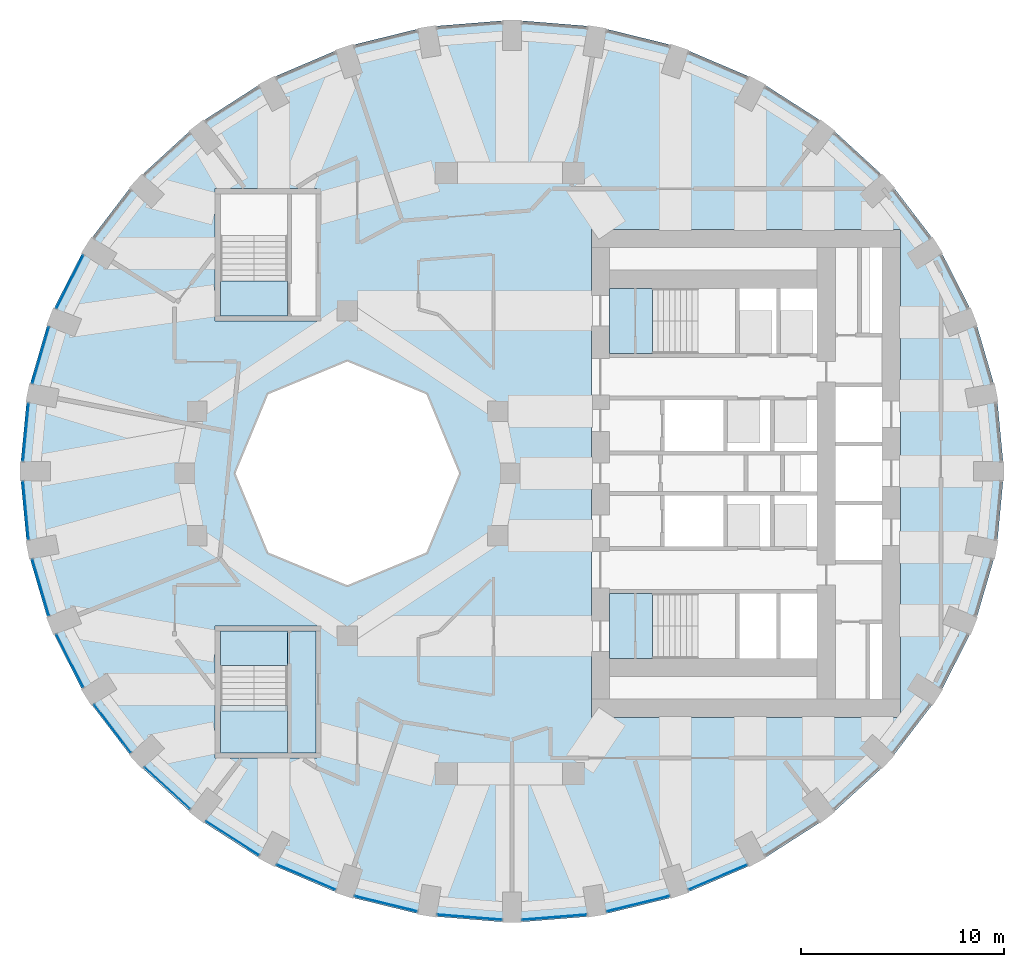
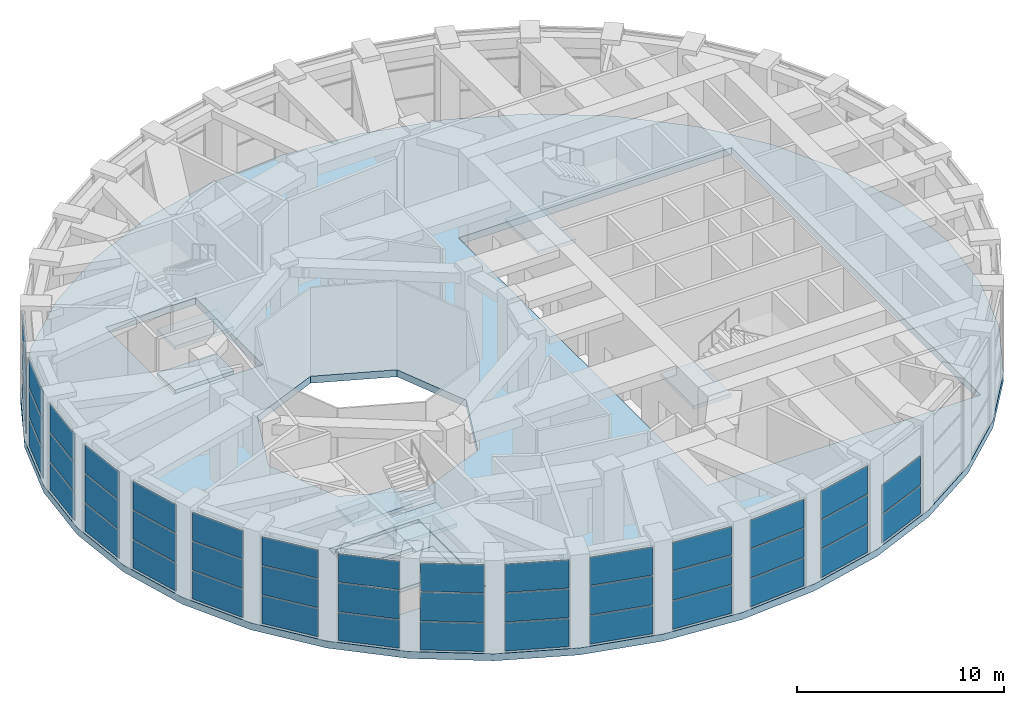
# One storey, part 9 of 17: 44 plates, 10 slabs, 19 elements without a shape of their own.
"""IFC4 building model written with IfcOpenShell, lengths in metres."""

from ifc_helpers import new_model, si_unit, direction, frame, origin, origin_2d, place, context, subcontext, project, spatial, polyline, rectangle, outline, extrude, material, layer, layer_set, type_object, element, aggregate, save


model = new_model("IFC4")

# Units and contexts
model_context = context("Model", 3, precision=1e-05, world=origin(), true_north=direction((0.0, 1.0)))
body_context = subcontext(model_context, "Body", "Model", "MODEL_VIEW")
ifc_project = project(units=[si_unit("LENGTHUNIT", "METRE"), si_unit("AREAUNIT", "SQUARE_METRE"), si_unit("VOLUMEUNIT", "CUBIC_METRE"), si_unit("PLANEANGLEUNIT", "RADIAN"), si_unit("MASSUNIT", "GRAM", prefix="KILO")], contexts=[model_context])

# Site, building, storey
site_placement = place(None, origin())
site = spatial("IfcSite", under=ifc_project, at=site_placement, CompositionType="ELEMENT")
building_placement = place(site_placement, origin())
building = spatial("IfcBuilding", under=site, at=building_placement, Name="Taillehof Tower", CompositionType="ELEMENT")
storey_placement = place(building_placement, frame((0.0, 0.0, 139.60009765625)))
storey = spatial("IfcBuildingStorey", under=building, at=storey_placement, Name="L39", CompositionType="ELEMENT", Elevation=139.60009765625)

# Slab
ifc_material_1 = material(Name="Concrete C40/50", Category="concrete")
ifc_layer_1 = layer(ifc_material_1, 0.409912109375)
ifc_layer_set_1 = layer_set([ifc_layer_1], Name="Floor slab 410")
slab_type_1 = type_object("IfcSlabType", Name="Floor slab 410", PredefinedType="FLOOR", material=ifc_layer_set_1)
slab_1_placement = place(storey_placement, frame((0.0, 0.0, -0.41015625)))
element("IfcSlab", 1, at=slab_1_placement, inside=storey, type_object=slab_type_1, Name="Floor slab L39", PredefinedType="FLOOR", context=body_context, shape_type="SweptSolid", body=[
    extrude(outline(polyline([(24.300048828125, 0.10009765625), (23.932373046875, 3.955078125), (22.840576171875, 7.69287109375), (21.057861328125, 11.199951171875), (18.63818359375, 14.369873046875), (15.655517578125, 17.106201171875), (12.199951171875, 19.32568359375), (8.376953125, 20.961181640625), (4.30224609375, 21.962646484375), (0.10009765625, 22.300048828125), (-4.102294921875, 21.962646484375), (-8.177001953125, 20.961181640625), (-12.0, 19.32568359375), (-15.45556640625, 17.106201171875), (-18.438232421875, 14.369873046875), (-20.85791015625, 11.199951171875), (-22.640625, 7.69287109375), (-23.732421875, 3.955078125), (-24.10009765625, 0.10009765625), (-23.732421875, -3.7548828125), (-22.640625, -7.492919921875), (-20.85791015625, -11.0), (-18.438232421875, -14.169921875), (-15.45556640625, -16.90625), (-12.0, -19.125732421875), (-8.177001953125, -20.76123046875), (-4.102294921875, -21.7626953125), (0.10009765625, -22.10009765625), (4.30224609375, -21.7626953125), (8.376953125, -20.76123046875), (12.199951171875, -19.125732421875), (15.655517578125, -16.90625), (18.63818359375, -14.169921875), (21.057861328125, -11.0), (22.840576171875, -7.492919921875), (23.932373046875, -3.7548828125), (24.300048828125, 0.10009765625)]), holes=[polyline([(-14.5, -7.5), (-9.5, -7.5), (-9.5, -14.0), (-14.5, -14.0), (-14.5, -7.5)]), polyline([(-8.0, -5.5), (-11.88916015625, -3.88916015625), (-13.5, 0.0), (-11.88916015625, 3.88916015625), (-8.0, 5.5), (-4.11083984375, 3.88916015625), (-2.5, 0.0), (-4.11083984375, -3.88916015625), (-8.0, -5.5)]), polyline([(19.199951171875, 12.0), (19.199951171875, -12.0), (4.0, -12.0), (4.0, 12.0), (19.199951171875, 12.0)]), polyline([(-14.5, 14.0), (-9.5, 14.0), (-9.5, 7.5), (-14.5, 7.5), (-14.5, 14.0)])]), origin(), (0.0, 0.0, 1.0), 0.41015625),
])

# Curtain wall, plates
ifc_material_2 = material(Name="Aluminium curtain wall with Clear low-emissivity double glazing", Category="aluminium")
curtain_wall_type = type_object("IfcCurtainWallType", Name="Sky lobby curtain wall", PredefinedType="USERDEFINED", material=ifc_material_2)
curtain_wall_1_placement = place(storey_placement, origin())
curtain_wall_1 = element("IfcCurtainWall", 2, at=curtain_wall_1_placement, inside=storey, type_object=curtain_wall_type, Name="Sky lobby L39 bay 16", ObjectType="WINDOW WALL", PredefinedType="USERDEFINED")
ifc_material_3 = material(Name="Clear low-emissivity double glazing", Category="glass")
ifc_layer_2 = layer(ifc_material_3, 0.028076171875)
ifc_layer_set_2 = layer_set([ifc_layer_2], Name="Sky lobby glass panel 28")
plate_type = type_object("IfcPlateType", Name="Sky lobby glass panel 28", PredefinedType="CURTAIN_PANEL", material=ifc_layer_set_2)
plate_1_placement = place(storey_placement, frame((-21.648681640625, 9.423583984375, 0.06005859375), z_axis=(0.0, 0.0, 1.0), x_axis=(-0.454121193276, -0.890939920431, 0.0)))
plate_1 = element("IfcPlate", 3, at=plate_1_placement, type_object=plate_type, Name="CT3C16 panel 1.1", PredefinedType="CURTAIN_PANEL", context=body_context, shape_type="SweptSolid", body=[
    extrude(rectangle(XDim=2.888916015625, YDim=0.028076171875, at=origin_2d()), origin(), (0.0, 0.0, 1.0), 1.64990234375),
])
plate_2_placement = place(storey_placement, frame((-21.648681640625, 9.423583984375, 1.77001953125), z_axis=(0.0, 0.0, 1.0), x_axis=(-0.454121193276, -0.890939920431, 0.0)))
plate_2 = element("IfcPlate", 4, at=plate_2_placement, type_object=plate_type, Name="CT3C16 panel 1.2", PredefinedType="CURTAIN_PANEL", context=body_context, shape_type="SweptSolid", body=[
    extrude(rectangle(XDim=2.888916015625, YDim=0.028076171875, at=origin_2d()), origin(), (0.0, 0.0, 1.0), 1.679931640625),
])
plate_3_placement = place(storey_placement, frame((-21.648681640625, 9.423583984375, 3.510009765625), z_axis=(0.0, 0.0, 1.0), x_axis=(-0.454121193276, -0.890939920431, 0.0)))
plate_3 = element("IfcPlate", 5, at=plate_3_placement, type_object=plate_type, Name="CT3C16 panel 1.3", PredefinedType="CURTAIN_PANEL", context=body_context, shape_type="SweptSolid", body=[
    extrude(rectangle(XDim=2.888916015625, YDim=0.028076171875, at=origin_2d()), origin(), (0.0, 0.0, 1.0), 1.64990234375),
])
aggregate(curtain_wall_1, [plate_1, plate_2, plate_3])

curtain_wall_2_placement = place(storey_placement, origin())
curtain_wall_2 = element("IfcCurtainWall", 6, at=curtain_wall_2_placement, inside=storey, type_object=curtain_wall_type, Name="Sky lobby L39 bay 17", ObjectType="WINDOW WALL", PredefinedType="USERDEFINED")
plate_4_placement = place(storey_placement, frame((-23.085693359375, 5.811767578125, 0.06005859375), z_axis=(0.0, 0.0, 1.0), x_axis=(-0.281079610563, -0.959684454665, 0.0)))
plate_4 = element("IfcPlate", 7, at=plate_4_placement, type_object=plate_type, Name="CT3C17 panel 1.1", PredefinedType="CURTAIN_PANEL", context=body_context, shape_type="SweptSolid", body=[
    extrude(rectangle(XDim=2.85107421875, YDim=0.028076171875, at=origin_2d()), origin(), (0.0, 0.0, 1.0), 1.64990234375),
])
plate_5_placement = place(storey_placement, frame((-23.085693359375, 5.811767578125, 1.77001953125), z_axis=(0.0, 0.0, 1.0), x_axis=(-0.281079610563, -0.959684454665, 0.0)))
plate_5 = element("IfcPlate", 8, at=plate_5_placement, type_object=plate_type, Name="CT3C17 panel 1.2", PredefinedType="CURTAIN_PANEL", context=body_context, shape_type="SweptSolid", body=[
    extrude(rectangle(XDim=2.85107421875, YDim=0.028076171875, at=origin_2d()), origin(), (0.0, 0.0, 1.0), 1.679931640625),
])
plate_6_placement = place(storey_placement, frame((-23.085693359375, 5.811767578125, 3.510009765625), z_axis=(0.0, 0.0, 1.0), x_axis=(-0.281079610563, -0.959684454665, 0.0)))
plate_6 = element("IfcPlate", 9, at=plate_6_placement, type_object=plate_type, Name="CT3C17 panel 1.3", PredefinedType="CURTAIN_PANEL", context=body_context, shape_type="SweptSolid", body=[
    extrude(rectangle(XDim=2.85107421875, YDim=0.028076171875, at=origin_2d()), origin(), (0.0, 0.0, 1.0), 1.64990234375),
])
aggregate(curtain_wall_2, [plate_4, plate_5, plate_6])

curtain_wall_3_placement = place(storey_placement, origin())
curtain_wall_3 = element("IfcCurtainWall", 10, at=curtain_wall_3_placement, inside=storey, type_object=curtain_wall_type, Name="Sky lobby L39 bay 18", ObjectType="WINDOW WALL", PredefinedType="USERDEFINED")
plate_7_placement = place(storey_placement, frame((-23.815673828125, 2.023681640625, 0.06005859375), z_axis=(0.0, 0.0, 1.0), x_axis=(-0.095196732748, -0.995458478328, 0.0)))
plate_7 = element("IfcPlate", 11, at=plate_7_placement, type_object=plate_type, Name="CT3C18 panel 1.1", PredefinedType="CURTAIN_PANEL", context=body_context, shape_type="SweptSolid", body=[
    extrude(rectangle(XDim=2.83056640625, YDim=0.028076171875, at=origin_2d()), origin(), (0.0, 0.0, 1.0), 1.64990234375),
])
plate_8_placement = place(storey_placement, frame((-23.815673828125, 2.023681640625, 1.77001953125), z_axis=(0.0, 0.0, 1.0), x_axis=(-0.095196732748, -0.995458478328, 0.0)))
plate_8 = element("IfcPlate", 12, at=plate_8_placement, type_object=plate_type, Name="CT3C18 panel 1.2", PredefinedType="CURTAIN_PANEL", context=body_context, shape_type="SweptSolid", body=[
    extrude(rectangle(XDim=2.83056640625, YDim=0.028076171875, at=origin_2d()), origin(), (0.0, 0.0, 1.0), 1.679931640625),
])
plate_9_placement = place(storey_placement, frame((-23.815673828125, 2.023681640625, 3.510009765625), z_axis=(0.0, 0.0, 1.0), x_axis=(-0.095196732748, -0.995458478328, 0.0)))
plate_9 = element("IfcPlate", 13, at=plate_9_placement, type_object=plate_type, Name="CT3C18 panel 1.3", PredefinedType="CURTAIN_PANEL", context=body_context, shape_type="SweptSolid", body=[
    extrude(rectangle(XDim=2.83056640625, YDim=0.028076171875, at=origin_2d()), origin(), (0.0, 0.0, 1.0), 1.64990234375),
])
aggregate(curtain_wall_3, [plate_7, plate_8, plate_9])

curtain_wall_4_placement = place(storey_placement, origin())
curtain_wall_4 = element("IfcCurtainWall", 14, at=curtain_wall_4_placement, inside=storey, type_object=curtain_wall_type, Name="Sky lobby L39 bay 19", ObjectType="WINDOW WALL", PredefinedType="USERDEFINED")
plate_10_placement = place(storey_placement, frame((-23.815673828125, -1.82373046875, 0.06005859375), z_axis=(0.0, 0.0, 1.0), x_axis=(0.095196732748, -0.995458478328, 0.0)))
plate_10 = element("IfcPlate", 15, at=plate_10_placement, type_object=plate_type, Name="CT3C19 panel 1.1", PredefinedType="CURTAIN_PANEL", context=body_context, shape_type="SweptSolid", body=[
    extrude(rectangle(XDim=2.83056640625, YDim=0.028076171875, at=origin_2d()), origin(), (0.0, 0.0, 1.0), 1.64990234375),
])
plate_11_placement = place(storey_placement, frame((-23.815673828125, -1.82373046875, 1.77001953125), z_axis=(0.0, 0.0, 1.0), x_axis=(0.095196732748, -0.995458478328, 0.0)))
plate_11 = element("IfcPlate", 16, at=plate_11_placement, type_object=plate_type, Name="CT3C19 panel 1.2", PredefinedType="CURTAIN_PANEL", context=body_context, shape_type="SweptSolid", body=[
    extrude(rectangle(XDim=2.83056640625, YDim=0.028076171875, at=origin_2d()), origin(), (0.0, 0.0, 1.0), 1.679931640625),
])
plate_12_placement = place(storey_placement, frame((-23.815673828125, -1.82373046875, 3.510009765625), z_axis=(0.0, 0.0, 1.0), x_axis=(0.095196732748, -0.995458478328, 0.0)))
plate_12 = element("IfcPlate", 17, at=plate_12_placement, type_object=plate_type, Name="CT3C19 panel 1.3", PredefinedType="CURTAIN_PANEL", context=body_context, shape_type="SweptSolid", body=[
    extrude(rectangle(XDim=2.83056640625, YDim=0.028076171875, at=origin_2d()), origin(), (0.0, 0.0, 1.0), 1.64990234375),
])
aggregate(curtain_wall_4, [plate_10, plate_11, plate_12])

curtain_wall_5_placement = place(storey_placement, origin())
curtain_wall_5 = element("IfcCurtainWall", 18, at=curtain_wall_5_placement, inside=storey, type_object=curtain_wall_type, Name="Sky lobby L39 bay 20", ObjectType="WINDOW WALL", PredefinedType="USERDEFINED")
plate_13_placement = place(storey_placement, frame((-23.085693359375, -5.611572265625, 0.06005859375), z_axis=(0.0, 0.0, 1.0), x_axis=(0.281079610563, -0.959684454665, 0.0)))
plate_13 = element("IfcPlate", 19, at=plate_13_placement, type_object=plate_type, Name="CT3C20 panel 1.1", PredefinedType="CURTAIN_PANEL", context=body_context, shape_type="SweptSolid", body=[
    extrude(rectangle(XDim=2.85107421875, YDim=0.028076171875, at=origin_2d()), origin(), (0.0, 0.0, 1.0), 1.64990234375),
])
plate_14_placement = place(storey_placement, frame((-23.085693359375, -5.611572265625, 1.77001953125), z_axis=(0.0, 0.0, 1.0), x_axis=(0.281079610563, -0.959684454665, 0.0)))
plate_14 = element("IfcPlate", 20, at=plate_14_placement, type_object=plate_type, Name="CT3C20 panel 1.2", PredefinedType="CURTAIN_PANEL", context=body_context, shape_type="SweptSolid", body=[
    extrude(rectangle(XDim=2.85107421875, YDim=0.028076171875, at=origin_2d()), origin(), (0.0, 0.0, 1.0), 1.679931640625),
])
plate_15_placement = place(storey_placement, frame((-23.085693359375, -5.611572265625, 3.510009765625), z_axis=(0.0, 0.0, 1.0), x_axis=(0.281079610563, -0.959684454665, 0.0)))
plate_15 = element("IfcPlate", 21, at=plate_15_placement, type_object=plate_type, Name="CT3C20 panel 1.3", PredefinedType="CURTAIN_PANEL", context=body_context, shape_type="SweptSolid", body=[
    extrude(rectangle(XDim=2.85107421875, YDim=0.028076171875, at=origin_2d()), origin(), (0.0, 0.0, 1.0), 1.64990234375),
])
aggregate(curtain_wall_5, [plate_13, plate_14, plate_15])

curtain_wall_6_placement = place(storey_placement, origin())
curtain_wall_6 = element("IfcCurtainWall", 22, at=curtain_wall_6_placement, inside=storey, type_object=curtain_wall_type, Name="Sky lobby L39 bay 21", ObjectType="WINDOW WALL", PredefinedType="USERDEFINED")
plate_16_placement = place(storey_placement, frame((-21.648681640625, -9.2236328125, 0.06005859375), z_axis=(0.0, 0.0, 1.0), x_axis=(0.454121193276, -0.890939920431, 0.0)))
plate_16 = element("IfcPlate", 23, at=plate_16_placement, type_object=plate_type, Name="CT3C21 panel 1.1", PredefinedType="CURTAIN_PANEL", context=body_context, shape_type="SweptSolid", body=[
    extrude(rectangle(XDim=2.888916015625, YDim=0.028076171875, at=origin_2d()), origin(), (0.0, 0.0, 1.0), 1.64990234375),
])
plate_17_placement = place(storey_placement, frame((-21.648681640625, -9.2236328125, 1.77001953125), z_axis=(0.0, 0.0, 1.0), x_axis=(0.454121193276, -0.890939920431, 0.0)))
plate_17 = element("IfcPlate", 24, at=plate_17_placement, type_object=plate_type, Name="CT3C21 panel 1.2", PredefinedType="CURTAIN_PANEL", context=body_context, shape_type="SweptSolid", body=[
    extrude(rectangle(XDim=2.888916015625, YDim=0.028076171875, at=origin_2d()), origin(), (0.0, 0.0, 1.0), 1.679931640625),
])
plate_18_placement = place(storey_placement, frame((-21.648681640625, -9.2236328125, 3.510009765625), z_axis=(0.0, 0.0, 1.0), x_axis=(0.454121193276, -0.890939920431, 0.0)))
plate_18 = element("IfcPlate", 25, at=plate_18_placement, type_object=plate_type, Name="CT3C21 panel 1.3", PredefinedType="CURTAIN_PANEL", context=body_context, shape_type="SweptSolid", body=[
    extrude(rectangle(XDim=2.888916015625, YDim=0.028076171875, at=origin_2d()), origin(), (0.0, 0.0, 1.0), 1.64990234375),
])
aggregate(curtain_wall_6, [plate_16, plate_17, plate_18])

curtain_wall_7_placement = place(storey_placement, origin())
curtain_wall_7 = element("IfcCurtainWall", 26, at=curtain_wall_7_placement, inside=storey, type_object=curtain_wall_type, Name="Sky lobby L39 bay 22", ObjectType="WINDOW WALL", PredefinedType="USERDEFINED")
plate_19_placement = place(storey_placement, frame((-19.550537109375, -12.548583984375, 0.06005859375), z_axis=(0.0, 0.0, 1.0), x_axis=(0.607790899725, -0.794097111323, 0.0)))
plate_19 = element("IfcPlate", 27, at=plate_19_placement, type_object=plate_type, Name="CT3C22 panel 1.1", PredefinedType="CURTAIN_PANEL", context=body_context, shape_type="SweptSolid", body=[
    extrude(rectangle(XDim=2.939453125, YDim=0.028076171875, at=origin_2d()), origin(), (0.0, 0.0, 1.0), 1.64990234375),
])
plate_20_placement = place(storey_placement, frame((-19.550537109375, -12.548583984375, 1.77001953125), z_axis=(0.0, 0.0, 1.0), x_axis=(0.607790899725, -0.794097111323, 0.0)))
plate_20 = element("IfcPlate", 28, at=plate_20_placement, type_object=plate_type, Name="CT3C22 panel 1.2", PredefinedType="CURTAIN_PANEL", context=body_context, shape_type="SweptSolid", body=[
    extrude(rectangle(XDim=2.939453125, YDim=0.028076171875, at=origin_2d()), origin(), (0.0, 0.0, 1.0), 1.679931640625),
])
plate_21_placement = place(storey_placement, frame((-19.550537109375, -12.548583984375, 3.510009765625), z_axis=(0.0, 0.0, 1.0), x_axis=(0.607790899725, -0.794097111323, 0.0)))
plate_21 = element("IfcPlate", 29, at=plate_21_placement, type_object=plate_type, Name="CT3C22 panel 1.3", PredefinedType="CURTAIN_PANEL", context=body_context, shape_type="SweptSolid", body=[
    extrude(rectangle(XDim=2.939453125, YDim=0.028076171875, at=origin_2d()), origin(), (0.0, 0.0, 1.0), 1.64990234375),
])
aggregate(curtain_wall_7, [plate_19, plate_20, plate_21])

curtain_wall_8_placement = place(storey_placement, origin())
curtain_wall_8 = element("IfcCurtainWall", 30, at=curtain_wall_8_placement, inside=storey, type_object=curtain_wall_type, Name="Sky lobby L39 bay 23", ObjectType="WINDOW WALL", PredefinedType="USERDEFINED")
plate_22_placement = place(storey_placement, frame((-16.856201171875, -15.486328125, 0.06005859375), z_axis=(0.0, 0.0, 1.0), x_axis=(0.737826725413, -0.674990165311, 0.0)))
plate_22 = element("IfcPlate", 31, at=plate_22_placement, type_object=plate_type, Name="CT3C23 panel 1.1", PredefinedType="CURTAIN_PANEL", context=body_context, shape_type="SweptSolid", body=[
    extrude(rectangle(XDim=2.996337890625, YDim=0.028076171875, at=origin_2d()), origin(), (0.0, 0.0, 1.0), 1.64990234375),
])
plate_23_placement = place(storey_placement, frame((-16.856201171875, -15.486328125, 1.77001953125), z_axis=(0.0, 0.0, 1.0), x_axis=(0.737826725413, -0.674990165311, 0.0)))
plate_23 = element("IfcPlate", 32, at=plate_23_placement, type_object=plate_type, Name="CT3C23 panel 1.2", PredefinedType="CURTAIN_PANEL", context=body_context, shape_type="SweptSolid", body=[
    extrude(rectangle(XDim=2.996337890625, YDim=0.028076171875, at=origin_2d()), origin(), (0.0, 0.0, 1.0), 1.679931640625),
])
plate_24_placement = place(storey_placement, frame((-16.856201171875, -15.486328125, 3.510009765625), z_axis=(0.0, 0.0, 1.0), x_axis=(0.737826725413, -0.674990165311, 0.0)))
plate_24 = element("IfcPlate", 33, at=plate_24_placement, type_object=plate_type, Name="CT3C23 panel 1.3", PredefinedType="CURTAIN_PANEL", context=body_context, shape_type="SweptSolid", body=[
    extrude(rectangle(XDim=2.996337890625, YDim=0.028076171875, at=origin_2d()), origin(), (0.0, 0.0, 1.0), 1.64990234375),
])
aggregate(curtain_wall_8, [plate_22, plate_23, plate_24])

curtain_wall_9_placement = place(storey_placement, origin())
curtain_wall_9 = element("IfcCurtainWall", 34, at=curtain_wall_9_placement, inside=storey, type_object=curtain_wall_type, Name="Sky lobby L39 bay 24", ObjectType="WINDOW WALL", PredefinedType="USERDEFINED")
plate_25_placement = place(storey_placement, frame((-13.649169921875, -17.948486328125, 0.06005859375), z_axis=(0.0, 0.0, 1.0), x_axis=(0.842053210263, -0.539394467052, 0.0)))
plate_25 = element("IfcPlate", 35, at=plate_25_placement, type_object=plate_type, Name="CT3C24 panel 1.1", PredefinedType="CURTAIN_PANEL", context=body_context, shape_type="SweptSolid", body=[
    extrude(rectangle(XDim=3.052490234375, YDim=0.028076171875, at=origin_2d()), origin(), (0.0, 0.0, 1.0), 1.64990234375),
])
plate_26_placement = place(storey_placement, frame((-13.649169921875, -17.948486328125, 1.77001953125), z_axis=(0.0, 0.0, 1.0), x_axis=(0.842053210263, -0.539394467052, 0.0)))
plate_26 = element("IfcPlate", 36, at=plate_26_placement, type_object=plate_type, Name="CT3C24 panel 1.2", PredefinedType="CURTAIN_PANEL", context=body_context, shape_type="SweptSolid", body=[
    extrude(rectangle(XDim=3.052490234375, YDim=0.028076171875, at=origin_2d()), origin(), (0.0, 0.0, 1.0), 1.679931640625),
])
plate_27_placement = place(storey_placement, frame((-13.649169921875, -17.948486328125, 3.510009765625), z_axis=(0.0, 0.0, 1.0), x_axis=(0.842053210263, -0.539394467052, 0.0)))
plate_27 = element("IfcPlate", 37, at=plate_27_placement, type_object=plate_type, Name="CT3C24 panel 1.3", PredefinedType="CURTAIN_PANEL", context=body_context, shape_type="SweptSolid", body=[
    extrude(rectangle(XDim=3.052490234375, YDim=0.028076171875, at=origin_2d()), origin(), (0.0, 0.0, 1.0), 1.64990234375),
])
aggregate(curtain_wall_9, [plate_25, plate_26, plate_27])

curtain_wall_10_placement = place(storey_placement, origin())
curtain_wall_10 = element("IfcCurtainWall", 38, at=curtain_wall_10_placement, inside=storey, type_object=curtain_wall_type, Name="Sky lobby L39 bay 25", ObjectType="WINDOW WALL", PredefinedType="USERDEFINED")
plate_28_placement = place(storey_placement, frame((-10.027587890625, -19.861572265625, 0.06005859375), z_axis=(0.0, 0.0, 1.0), x_axis=(0.919803722368, -0.392378786783, 0.0)))
plate_28 = element("IfcPlate", 39, at=plate_28_placement, type_object=plate_type, Name="CT3C25 panel 1.1", PredefinedType="CURTAIN_PANEL", context=body_context, shape_type="SweptSolid", body=[
    extrude(rectangle(XDim=3.101318359375, YDim=0.028076171875, at=origin_2d()), origin(), (0.0, 0.0, 1.0), 1.64990234375),
])
plate_29_placement = place(storey_placement, frame((-10.027587890625, -19.861572265625, 1.77001953125), z_axis=(0.0, 0.0, 1.0), x_axis=(0.919803722368, -0.392378786783, 0.0)))
plate_29 = element("IfcPlate", 40, at=plate_29_placement, type_object=plate_type, Name="CT3C25 panel 1.2", PredefinedType="CURTAIN_PANEL", context=body_context, shape_type="SweptSolid", body=[
    extrude(rectangle(XDim=3.101318359375, YDim=0.028076171875, at=origin_2d()), origin(), (0.0, 0.0, 1.0), 1.679931640625),
])
plate_30_placement = place(storey_placement, frame((-10.027587890625, -19.861572265625, 3.510009765625), z_axis=(0.0, 0.0, 1.0), x_axis=(0.919803722368, -0.392378786783, 0.0)))
plate_30 = element("IfcPlate", 41, at=plate_30_placement, type_object=plate_type, Name="CT3C25 panel 1.3", PredefinedType="CURTAIN_PANEL", context=body_context, shape_type="SweptSolid", body=[
    extrude(rectangle(XDim=3.101318359375, YDim=0.028076171875, at=origin_2d()), origin(), (0.0, 0.0, 1.0), 1.64990234375),
])
aggregate(curtain_wall_10, [plate_28, plate_29, plate_30])

curtain_wall_11_placement = place(storey_placement, origin())
curtain_wall_11 = element("IfcCurtainWall", 42, at=curtain_wall_11_placement, inside=storey, type_object=curtain_wall_type, Name="Sky lobby L39 bay 26", ObjectType="WINDOW WALL", PredefinedType="USERDEFINED")
plate_31_placement = place(storey_placement, frame((-6.100830078125, -21.1689453125, 0.06005859375), z_axis=(0.0, 0.0, 1.0), x_axis=(0.971246214424, -0.238077279402, 0.0)))
plate_31 = element("IfcPlate", 43, at=plate_31_placement, type_object=plate_type, Name="CT3C26 panel 1.1", PredefinedType="CURTAIN_PANEL", context=body_context, shape_type="SweptSolid", body=[
    extrude(rectangle(XDim=3.13720703125, YDim=0.028076171875, at=origin_2d()), origin(), (0.0, 0.0, 1.0), 1.64990234375),
])
plate_32_placement = place(storey_placement, frame((-6.100830078125, -21.1689453125, 1.77001953125), z_axis=(0.0, 0.0, 1.0), x_axis=(0.971246214424, -0.238077279402, 0.0)))
plate_32 = element("IfcPlate", 44, at=plate_32_placement, type_object=plate_type, Name="CT3C26 panel 1.2", PredefinedType="CURTAIN_PANEL", context=body_context, shape_type="SweptSolid", body=[
    extrude(rectangle(XDim=3.13720703125, YDim=0.028076171875, at=origin_2d()), origin(), (0.0, 0.0, 1.0), 1.679931640625),
])
plate_33_placement = place(storey_placement, frame((-6.100830078125, -21.1689453125, 3.510009765625), z_axis=(0.0, 0.0, 1.0), x_axis=(0.971246214424, -0.238077279402, 0.0)))
plate_33 = element("IfcPlate", 45, at=plate_33_placement, type_object=plate_type, Name="CT3C26 panel 1.3", PredefinedType="CURTAIN_PANEL", context=body_context, shape_type="SweptSolid", body=[
    extrude(rectangle(XDim=3.13720703125, YDim=0.028076171875, at=origin_2d()), origin(), (0.0, 0.0, 1.0), 1.64990234375),
])
aggregate(curtain_wall_11, [plate_31, plate_32, plate_33])

curtain_wall_12_placement = place(storey_placement, origin())
curtain_wall_12 = element("IfcCurtainWall", 46, at=curtain_wall_12_placement, inside=storey, type_object=curtain_wall_type, Name="Sky lobby L39 bay 27", ObjectType="WINDOW WALL", PredefinedType="USERDEFINED")
plate_34_placement = place(storey_placement, frame((-1.98779296875, -21.83251953125, 0.06005859375), z_axis=(0.0, 0.0, 1.0), x_axis=(0.996812400185, -0.079781193509, 0.0)))
plate_34 = element("IfcPlate", 47, at=plate_34_placement, type_object=plate_type, Name="CT3C27 panel 1.1", PredefinedType="CURTAIN_PANEL", context=body_context, shape_type="SweptSolid", body=[
    extrude(rectangle(XDim=3.156005859375, YDim=0.028076171875, at=origin_2d()), origin(), (0.0, 0.0, 1.0), 1.64990234375),
])
plate_35_placement = place(storey_placement, frame((-1.98779296875, -21.83251953125, 1.77001953125), z_axis=(0.0, 0.0, 1.0), x_axis=(0.996812400185, -0.079781193509, 0.0)))
plate_35 = element("IfcPlate", 48, at=plate_35_placement, type_object=plate_type, Name="CT3C27 panel 1.2", PredefinedType="CURTAIN_PANEL", context=body_context, shape_type="SweptSolid", body=[
    extrude(rectangle(XDim=3.156005859375, YDim=0.028076171875, at=origin_2d()), origin(), (0.0, 0.0, 1.0), 1.679931640625),
])
plate_36_placement = place(storey_placement, frame((-1.98779296875, -21.83251953125, 3.510009765625), z_axis=(0.0, 0.0, 1.0), x_axis=(0.996812400185, -0.079781193509, 0.0)))
plate_36 = element("IfcPlate", 49, at=plate_36_placement, type_object=plate_type, Name="CT3C27 panel 1.3", PredefinedType="CURTAIN_PANEL", context=body_context, shape_type="SweptSolid", body=[
    extrude(rectangle(XDim=3.156005859375, YDim=0.028076171875, at=origin_2d()), origin(), (0.0, 0.0, 1.0), 1.64990234375),
])
aggregate(curtain_wall_12, [plate_34, plate_35, plate_36])

curtain_wall_13_placement = place(storey_placement, origin())
curtain_wall_13 = element("IfcCurtainWall", 50, at=curtain_wall_13_placement, inside=storey, type_object=curtain_wall_type, Name="Sky lobby L39 bay 28", ObjectType="WINDOW WALL", PredefinedType="USERDEFINED")
plate_37_placement = place(storey_placement, frame((2.18798828125, -21.83251953125, 0.06005859375), z_axis=(0.0, 0.0, 1.0), x_axis=(0.996812400185, 0.079781193509, 0.0)))
plate_37 = element("IfcPlate", 51, at=plate_37_placement, type_object=plate_type, Name="CT3C28 panel 1.1", PredefinedType="CURTAIN_PANEL", context=body_context, shape_type="SweptSolid", body=[
    extrude(rectangle(XDim=3.156005859375, YDim=0.028076171875, at=origin_2d()), origin(), (0.0, 0.0, 1.0), 1.64990234375),
])
plate_38_placement = place(storey_placement, frame((2.18798828125, -21.83251953125, 1.77001953125), z_axis=(0.0, 0.0, 1.0), x_axis=(0.996812400185, 0.079781193509, 0.0)))
plate_38 = element("IfcPlate", 52, at=plate_38_placement, type_object=plate_type, Name="CT3C28 panel 1.2", PredefinedType="CURTAIN_PANEL", context=body_context, shape_type="SweptSolid", body=[
    extrude(rectangle(XDim=3.156005859375, YDim=0.028076171875, at=origin_2d()), origin(), (0.0, 0.0, 1.0), 1.679931640625),
])
plate_39_placement = place(storey_placement, frame((2.18798828125, -21.83251953125, 3.510009765625), z_axis=(0.0, 0.0, 1.0), x_axis=(0.996812400185, 0.079781193509, 0.0)))
plate_39 = element("IfcPlate", 53, at=plate_39_placement, type_object=plate_type, Name="CT3C28 panel 1.3", PredefinedType="CURTAIN_PANEL", context=body_context, shape_type="SweptSolid", body=[
    extrude(rectangle(XDim=3.156005859375, YDim=0.028076171875, at=origin_2d()), origin(), (0.0, 0.0, 1.0), 1.64990234375),
])
aggregate(curtain_wall_13, [plate_37, plate_38, plate_39])

curtain_wall_14_placement = place(storey_placement, origin())
curtain_wall_14 = element("IfcCurtainWall", 54, at=curtain_wall_14_placement, inside=storey, type_object=curtain_wall_type, Name="Sky lobby L39 bay 29", ObjectType="WINDOW WALL", PredefinedType="USERDEFINED")
plate_40_placement = place(storey_placement, frame((6.301025390625, -21.1689453125, 0.06005859375), z_axis=(0.0, 0.0, 1.0), x_axis=(0.971246214424, 0.238077279402, 0.0)))
plate_40 = element("IfcPlate", 55, at=plate_40_placement, type_object=plate_type, Name="CT3C29 panel 1.1", PredefinedType="CURTAIN_PANEL", context=body_context, shape_type="SweptSolid", body=[
    extrude(rectangle(XDim=3.13720703125, YDim=0.028076171875, at=origin_2d()), origin(), (0.0, 0.0, 1.0), 1.64990234375),
])
plate_41_placement = place(storey_placement, frame((6.301025390625, -21.1689453125, 1.77001953125), z_axis=(0.0, 0.0, 1.0), x_axis=(0.971246214424, 0.238077279402, 0.0)))
plate_41 = element("IfcPlate", 56, at=plate_41_placement, type_object=plate_type, Name="CT3C29 panel 1.2", PredefinedType="CURTAIN_PANEL", context=body_context, shape_type="SweptSolid", body=[
    extrude(rectangle(XDim=3.13720703125, YDim=0.028076171875, at=origin_2d()), origin(), (0.0, 0.0, 1.0), 1.679931640625),
])
plate_42_placement = place(storey_placement, frame((6.301025390625, -21.1689453125, 3.510009765625), z_axis=(0.0, 0.0, 1.0), x_axis=(0.971246214424, 0.238077279402, 0.0)))
plate_42 = element("IfcPlate", 57, at=plate_42_placement, type_object=plate_type, Name="CT3C29 panel 1.3", PredefinedType="CURTAIN_PANEL", context=body_context, shape_type="SweptSolid", body=[
    extrude(rectangle(XDim=3.13720703125, YDim=0.028076171875, at=origin_2d()), origin(), (0.0, 0.0, 1.0), 1.64990234375),
])
aggregate(curtain_wall_14, [plate_40, plate_41, plate_42])

curtain_wall_15_placement = place(storey_placement, origin())
curtain_wall_15 = element("IfcCurtainWall", 58, at=curtain_wall_15_placement, inside=storey, type_object=curtain_wall_type, Name="Sky lobby L39 bay 30", ObjectType="WINDOW WALL", PredefinedType="USERDEFINED")
plate_43_placement = place(storey_placement, frame((10.2275390625, -19.861572265625, 0.06005859375), z_axis=(0.0, 0.0, 1.0), x_axis=(0.919803722368, 0.392378786783, 0.0)))
plate_43 = element("IfcPlate", 59, at=plate_43_placement, type_object=plate_type, Name="CT3C30 panel 1.1", PredefinedType="CURTAIN_PANEL", context=body_context, shape_type="SweptSolid", body=[
    extrude(rectangle(XDim=3.101318359375, YDim=0.028076171875, at=origin_2d()), origin(), (0.0, 0.0, 1.0), 1.64990234375),
])
plate_44_placement = place(storey_placement, frame((10.2275390625, -19.861572265625, 1.77001953125), z_axis=(0.0, 0.0, 1.0), x_axis=(0.919803722368, 0.392378786783, 0.0)))
plate_44 = element("IfcPlate", 60, at=plate_44_placement, type_object=plate_type, Name="CT3C30 panel 1.2", PredefinedType="CURTAIN_PANEL", context=body_context, shape_type="SweptSolid", body=[
    extrude(rectangle(XDim=3.101318359375, YDim=0.028076171875, at=origin_2d()), origin(), (0.0, 0.0, 1.0), 1.679931640625),
])
aggregate(curtain_wall_15, [plate_43, plate_44])

# Stair, slab
ifc_material_4 = material(Name="Concrete C40/50", Category="concrete")
stair_type = type_object("IfcStairType", Name="Exit stair half-turn", PredefinedType="HALF_TURN_STAIR", material=ifc_material_4)
stair_1_placement = place(storey_placement, origin())
stair_1 = element("IfcStair", 61, at=stair_1_placement, inside=storey, type_object=stair_type, Name="Exit stair S1", PredefinedType="HALF_TURN_STAIR")
ifc_material_5 = material(Name="Concrete C40/50", Category="concrete")
ifc_layer_3 = layer(ifc_material_5, 0.2099609375)
ifc_layer_set_3 = layer_set([ifc_layer_3], Name="Stair landing C40/50 210")
slab_type_2 = type_object("IfcSlabType", Name="Stair landing C40/50 210", PredefinedType="LANDING", material=ifc_layer_set_3)
slab_2_placement = place(storey_placement, frame((0.0, 0.0, 2.378173828125)))
slab_2 = element("IfcSlab", 62, at=slab_2_placement, type_object=slab_type_2, Name="S1 landing 2", PredefinedType="LANDING", context=body_context, shape_type="SweptSolid", body=[
    extrude(outline(polyline([(4.89990234375, 5.89990234375), (7.0, 5.89990234375), (7.0, 9.10009765625), (4.89990234375, 9.10009765625), (4.89990234375, 5.89990234375)])), origin(), (0.0, 0.0, 1.0), 0.2099609375),
])
aggregate(stair_1, [slab_2])

stair_2_placement = place(storey_placement, origin())
stair_2 = element("IfcStair", 63, at=stair_2_placement, inside=storey, type_object=stair_type, Name="Exit stair S2", PredefinedType="HALF_TURN_STAIR")
slab_3_placement = place(storey_placement, frame((0.0, 0.0, 2.378173828125)))
slab_3 = element("IfcSlab", 64, at=slab_3_placement, type_object=slab_type_2, Name="S2 landing 2", PredefinedType="LANDING", context=body_context, shape_type="SweptSolid", body=[
    extrude(outline(polyline([(4.89990234375, -5.89990234375), (7.0, -5.89990234375), (7.0, -9.10009765625), (4.89990234375, -9.10009765625), (4.89990234375, -5.89990234375)])), origin(), (0.0, 0.0, 1.0), 0.2099609375),
])
aggregate(stair_2, [slab_3])

stair_3_placement = place(storey_placement, origin())
stair_3 = element("IfcStair", 65, at=stair_3_placement, inside=storey, type_object=stair_type, Name="Exit stair S3", PredefinedType="HALF_TURN_STAIR")
slab_4_placement = place(storey_placement, frame((0.0, 0.0, 2.378173828125)))
slab_4 = element("IfcSlab", 66, at=slab_4_placement, type_object=slab_type_2, Name="S3 landing 2", PredefinedType="LANDING", context=body_context, shape_type="SweptSolid", body=[
    extrude(outline(polyline([(-14.25, 7.75), (-14.25, 9.449951171875), (-10.949951171875, 9.449951171875), (-10.949951171875, 7.75), (-14.25, 7.75)])), origin(), (0.0, 0.0, 1.0), 0.2099609375),
])
aggregate(stair_3, [slab_4])

# Stair, slabs
stair_4_placement = place(storey_placement, origin())
stair_4 = element("IfcStair", 67, at=stair_4_placement, inside=storey, type_object=stair_type, Name="Exit stair S4", PredefinedType="HALF_TURN_STAIR")
slab_5_placement = place(storey_placement, frame((0.0, 0.0, 1.083984375)))
slab_5 = element("IfcSlab", 68, at=slab_5_placement, type_object=slab_type_2, Name="S4 landing 1", PredefinedType="LANDING", context=body_context, shape_type="SweptSolid", body=[
    extrude(outline(polyline([(-14.25, -11.409912109375), (-14.25, -13.75), (-10.949951171875, -13.75), (-10.949951171875, -11.409912109375), (-14.25, -11.409912109375)])), origin(), (0.0, 0.0, 1.0), 0.2099609375),
])
slab_6_placement = place(storey_placement, frame((0.0, 0.0, 2.378173828125)))
slab_6 = element("IfcSlab", 69, at=slab_6_placement, type_object=slab_type_2, Name="S4 landing 2", PredefinedType="LANDING", context=body_context, shape_type="SweptSolid", body=[
    extrude(outline(polyline([(-14.25, -7.75), (-14.25, -9.449951171875), (-10.949951171875, -9.449951171875), (-10.949951171875, -7.75), (-14.25, -7.75)])), origin(), (0.0, 0.0, 1.0), 0.2099609375),
])
slab_7_placement = place(storey_placement, frame((0.0, 0.0, 3.833984375)))
slab_7 = element("IfcSlab", 70, at=slab_7_placement, type_object=slab_type_2, Name="S4 landing 3", PredefinedType="LANDING", context=body_context, shape_type="SweptSolid", body=[
    extrude(outline(polyline([(-14.25, -11.68994140625), (-14.25, -13.75), (-10.949951171875, -13.75), (-10.949951171875, -11.68994140625), (-14.25, -11.68994140625)])), origin(), (0.0, 0.0, 1.0), 0.2099609375),
])
aggregate(stair_4, [slab_5, slab_6, slab_7])

# Slabs
slab_8_placement = place(storey_placement, frame((0.0, 0.0, -0.210205078125)))
element("IfcSlab", 71, at=slab_8_placement, inside=storey, type_object=slab_type_2, Name="Stair S3 floor landing", PredefinedType="LANDING", context=body_context, shape_type="SweptSolid", body=[
    extrude(outline(polyline([(-14.25, 7.75), (-14.25, 9.449951171875), (-10.949951171875, 9.449951171875), (-10.949951171875, 7.75), (-14.25, 7.75)])), origin(), (0.0, 0.0, 1.0), 0.210205078125),
])
slab_9_placement = place(storey_placement, frame((0.0, 0.0, -0.210205078125)))
element("IfcSlab", 72, at=slab_9_placement, inside=storey, type_object=slab_type_2, Name="Stair S4 floor landing", PredefinedType="LANDING", context=body_context, shape_type="SweptSolid", body=[
    extrude(outline(polyline([(-14.25, -7.75), (-14.25, -9.449951171875), (-10.949951171875, -9.449951171875), (-10.949951171875, -7.75), (-14.25, -7.75)])), origin(), (0.0, 0.0, 1.0), 0.210205078125),
])
slab_10_placement = place(storey_placement, frame((0.0, 0.0, -0.210205078125)))
element("IfcSlab", 73, at=slab_10_placement, inside=storey, type_object=slab_type_2, Name="Stair lobby S4 floor", PredefinedType="LANDING", context=body_context, shape_type="SweptSolid", body=[
    extrude(outline(polyline([(-10.949951171875, -13.75), (-9.550048828125, -13.75), (-9.550048828125, -7.75), (-10.949951171875, -7.75), (-10.949951171875, -13.75)])), origin(), (0.0, 0.0, 1.0), 0.210205078125),
])

save(model, "model.ifc")
